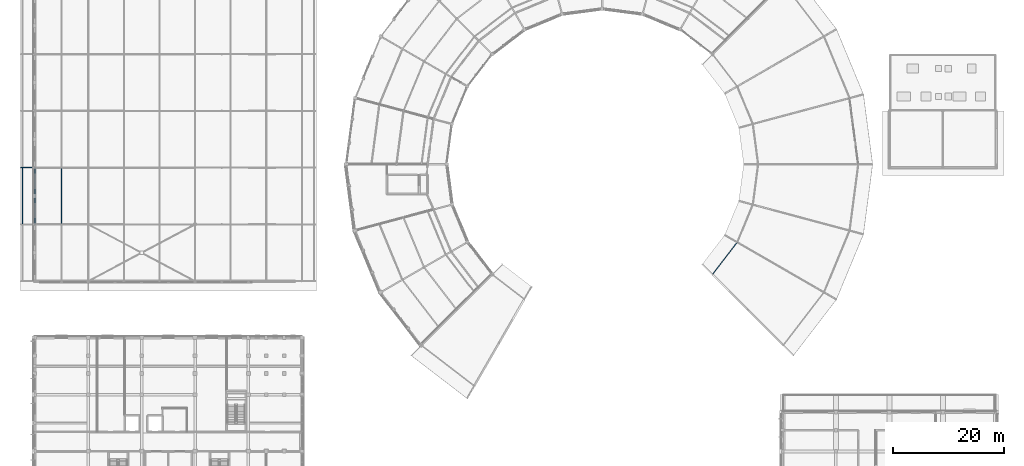
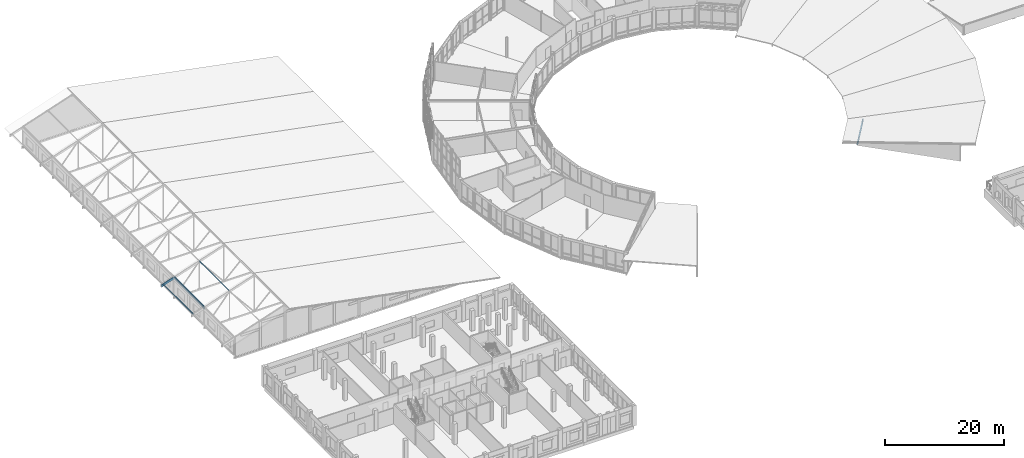
# One storey, part 42 of 200: 4 members, 3 beams.
"""IFC4 building model written with IfcOpenShell, lengths in metres."""

from ifc_helpers import new_model, si_unit, direction, frame, origin, origin_2d, place, context, subcontext, project, spatial, hollow_rectangle, i_section, extrude, material, material_profile, profile_set, type_object, element, save


model = new_model("IFC4")

# Units and contexts
model_context = context("Model", 3, precision=1e-05, world=origin(), true_north=direction((0.0, 1.0)))
body_context = subcontext(model_context, "Body", "Model", "MODEL_VIEW")
ifc_project = project(units=[si_unit("LENGTHUNIT", "METRE"), si_unit("AREAUNIT", "SQUARE_METRE"), si_unit("VOLUMEUNIT", "CUBIC_METRE"), si_unit("PLANEANGLEUNIT", "RADIAN"), si_unit("MASSUNIT", "GRAM", prefix="KILO")], contexts=[model_context])

# Site, building, storey
site_placement = place(None, origin())
site = spatial("IfcSite", under=ifc_project, at=site_placement, CompositionType="ELEMENT")
building_placement = place(site_placement, origin())
building = spatial("IfcBuilding", under=site, at=building_placement, Name="Vondelvale Polytechnic", CompositionType="ELEMENT")
storey_placement = place(building_placement, frame((0.0, 0.0, 13.800048828125)))
storey = spatial("IfcBuildingStorey", under=building, at=storey_placement, Name="L03", CompositionType="ELEMENT", Elevation=13.800048828125)

# Beams
ifc_material_1 = material(Name="Steel 300PLUS (fy = 300 MPa)", Category="steel")
ifc_material_profile_1 = material_profile(ifc_material_1, i_section(OverallWidth=0.14892578125, OverallDepth=0.298095703125, WebThickness=0.005615234375, FlangeThickness=0.008056640625, FilletRadius=0.011474609375, at=origin_2d()), Name="310UB32.0")
ifc_profile_set_1 = profile_set([ifc_material_profile_1], Name="Steel 300PLUS (fy = 300 MPa)")
beam_type_1 = type_object("IfcBeamType", Name="BM-UB310L", PredefinedType="BEAM", material=ifc_profile_set_1)
beam_1_placement = place(storey_placement, frame((121.799072265625, 52.200927734375, 0.16259765625), z_axis=(0.608754744979, 0.793358469083, 0.0), x_axis=(-0.793358469083, 0.608754744979, 0.0)))
element("IfcBeam", 1, at=beam_1_placement, inside=storey, type_object=beam_type_1, Name="L03 RE B-25", PredefinedType="BEAM", context=body_context, shape_type="SweptSolid", body=[
    extrude(i_section(OverallWidth=0.14892578125, OverallDepth=0.298095703125, WebThickness=0.005615234375, FlangeThickness=0.008056640625, FilletRadius=0.011474609375, at=origin_2d()), origin(), (0.0, 0.0, 1.0), 7.3095703125),
])
ifc_material_profile_2 = material_profile(ifc_material_1, i_section(OverallWidth=0.172119140625, OverallDepth=0.35888671875, WebThickness=0.008056640625, FlangeThickness=0.012939453125, FilletRadius=0.011474609375, at=origin_2d()), Name="360UB56.7")
ifc_profile_set_2 = profile_set([ifc_material_profile_2], Name="Steel 300PLUS (fy = 300 MPa)")
beam_type_2 = type_object("IfcBeamType", Name="BM-UB360H", PredefinedType="BEAM", material=ifc_profile_set_2)
beam_2_placement = place(storey_placement, frame((0.0, 61.199951171875, 3.570556640625), z_axis=(0.0, 1.0, 0.0), x_axis=(-1.0, 0.0, 0.0)))
element("IfcBeam", 2, at=beam_2_placement, inside=storey, type_object=beam_type_2, Name="L03 WE B-15", PredefinedType="BEAM", context=body_context, shape_type="SweptSolid", body=[
    extrude(i_section(OverallWidth=0.172119140625, OverallDepth=0.35888671875, WebThickness=0.008056640625, FlangeThickness=0.012939453125, FilletRadius=0.011474609375, at=origin_2d()), origin(), (0.0, 0.0, 1.0), 5.10009765625),
])
beam_3_placement = place(storey_placement, frame((0.0, 66.300048828125, 3.570556640625), z_axis=(0.0, 1.0, 0.0), x_axis=(-1.0, 0.0, 0.0)))
element("IfcBeam", 3, at=beam_3_placement, inside=storey, type_object=beam_type_2, Name="L03 WE B-15", PredefinedType="BEAM", context=body_context, shape_type="SweptSolid", body=[
    extrude(i_section(OverallWidth=0.172119140625, OverallDepth=0.35888671875, WebThickness=0.008056640625, FlangeThickness=0.012939453125, FilletRadius=0.011474609375, at=origin_2d()), origin(), (0.0, 0.0, 1.0), 5.099853515625),
])

# Members
ifc_material_2 = material(Name="Steel C350L0 (fy = 350 MPa)", Category="steel")
ifc_material_profile_3 = material_profile(ifc_material_2, hollow_rectangle(XDim=0.10009765625, YDim=0.199951171875, WallThickness=0.006103515625, at=origin_2d()), Name="200x100x6.0RHS")
ifc_profile_set_3 = profile_set([ifc_material_profile_3], Name="Steel C350L0 (fy = 350 MPa)")
member_type_1 = type_object("IfcMemberType", Name="PURLIN RHS200", PredefinedType="PURLIN", material=ifc_profile_set_3)
for number, where, z_axis, x_axis, name in (
    (4, (-2.199951171875, 61.199951171875, 3.140869140625), (0.0, 1.0, 0.0), (-1.0, 0.0, 0.0), "Workshop roof purlin bay 2"),
    (5, (0.0, 61.199951171875, 3.874267578125), (0.0, 1.0, 0.0), (-1.0, 0.0, 0.0), "Workshop roof purlin bay 2"),
    (6, (4.800048828125, 61.199951171875, 5.47412109375), (0.0, 1.0, 0.0), (-1.0, 0.0, 0.0), "Workshop roof purlin bay 2"),
):
    element("IfcMember", number, at=place(storey_placement, frame(where, z_axis=z_axis, x_axis=x_axis)), inside=storey, type_object=member_type_1, Name=name, PredefinedType="PURLIN", context=body_context, shape_type="SweptSolid", body=[
        extrude(hollow_rectangle(XDim=0.10009765625, YDim=0.199951171875, WallThickness=0.006103515625, at=origin_2d()), origin(), (0.0, 0.0, 1.0), 10.199951171875),
    ])
ifc_material_profile_4 = material_profile(ifc_material_2, hollow_rectangle(XDim=0.199951171875, YDim=0.39990234375, WallThickness=0.010009765625, at=origin_2d()), Name="400x200x10.0RHS")
ifc_profile_set_4 = profile_set([ifc_material_profile_4], Name="Steel C350L0 (fy = 350 MPa)")
member_type_2 = type_object("IfcMemberType", Name="ROOF TRUSS TOP CHORD 400RHS", PredefinedType="CHORD", material=ifc_profile_set_4)
member_placement = place(storey_placement, frame((-2.60009765625, 71.39990234375, 2.913330078125), z_axis=(0.948683298051, 0.0, 0.316227766017), x_axis=(0.0, 1.0, 0.0)))
element("IfcMember", 7, at=member_placement, inside=storey, type_object=member_type_2, Name="ROOF TRUSS TR-03 top chord 1", PredefinedType="CHORD", context=body_context, shape_type="SweptSolid", body=[
    extrude(hollow_rectangle(XDim=0.199951171875, YDim=0.39990234375, WallThickness=0.010009765625, at=origin_2d()), origin(), (0.0, 0.0, 1.0), 2.74072265625),
])

save(model, "model.ifc")
